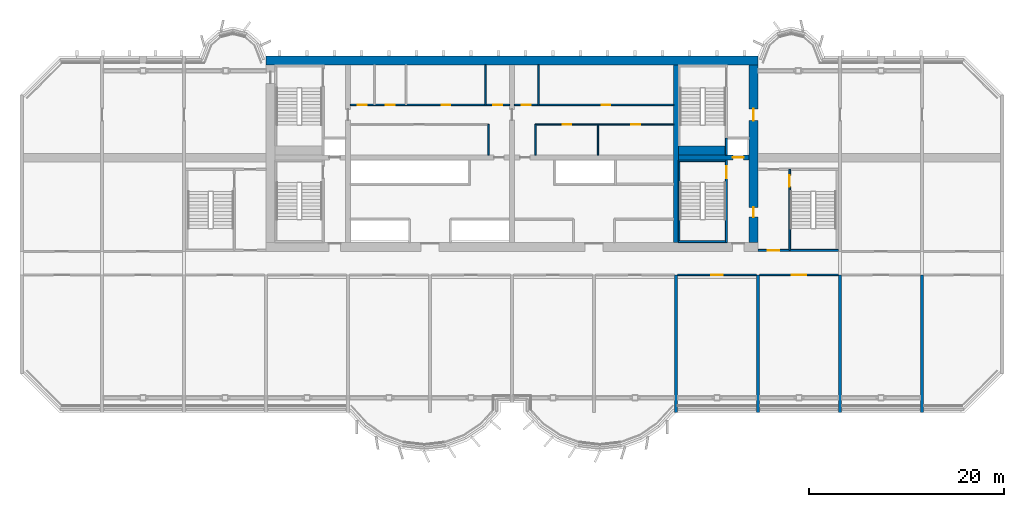
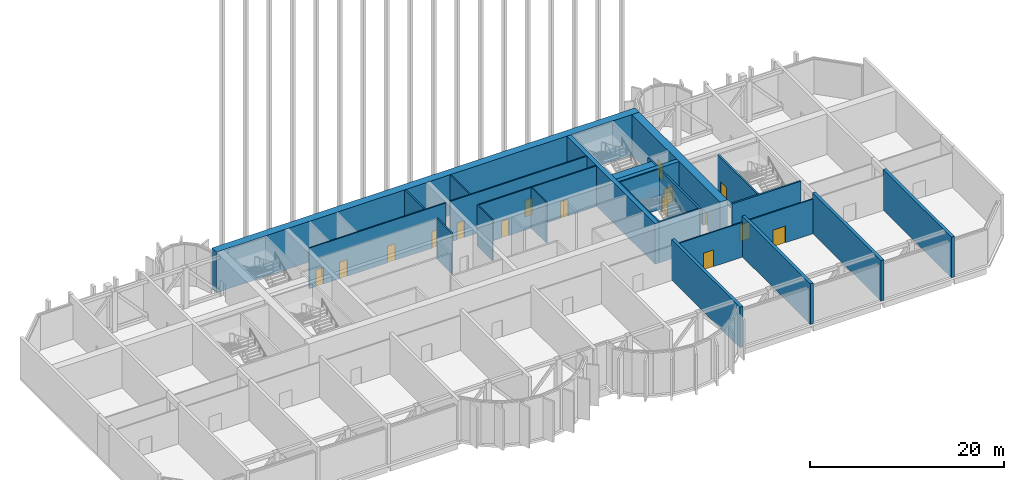
# One storey, part 7 of 17: 26 walls, 16 doors, 16 openings.
"""IFC4 building model written with IfcOpenShell, lengths in metres."""

from ifc_helpers import new_model, si_unit, direction, frame, frame_2d, origin, place, context, subcontext, project, spatial, rectangle, extrude, source, transform, mapped, material, layer, layer_set, type_object, element, fill, save


model = new_model("IFC4")

# Units and contexts
model_context = context("Model", 3, precision=1e-05, world=origin(), true_north=direction((0.0, 1.0)))
body_context = subcontext(model_context, "Body", "Model", "MODEL_VIEW")
ifc_project = project(units=[si_unit("LENGTHUNIT", "METRE"), si_unit("AREAUNIT", "SQUARE_METRE"), si_unit("VOLUMEUNIT", "CUBIC_METRE"), si_unit("PLANEANGLEUNIT", "RADIAN"), si_unit("MASSUNIT", "GRAM", prefix="KILO")], contexts=[model_context])

# Site, building, storey
site_placement = place(None, origin())
site = spatial("IfcSite", under=ifc_project, at=site_placement, CompositionType="ELEMENT")
building_placement = place(site_placement, origin())
building = spatial("IfcBuilding", under=site, at=building_placement, Name="Vanashikhar Sky Hotel", CompositionType="ELEMENT")
storey_placement = place(building_placement, frame((0.0, 0.0, 140.800048828125)))
storey = spatial("IfcBuildingStorey", under=building, at=storey_placement, Name="L34", CompositionType="ELEMENT", Elevation=140.800048828125)

# Wall
ifc_material_1 = material(Name="Concrete M70", Category="concrete")
ifc_layer_1 = layer(ifc_material_1, 0.89990234375)
ifc_layer_set_1 = layer_set([ifc_layer_1], Name="RC core shell wall 900 Concrete M70")
wall_type_1 = type_object("IfcWallType", Name="RC core shell wall 900 Concrete M70", PredefinedType="SHEAR", material=ifc_layer_set_1)
shared_shape_1 = source(origin(), body_context, "Body", "SweptSolid", [
    extrude(rectangle(XDim=50.400146484375, YDim=0.89990234375, at=frame_2d((25.2001953125, 0.0))), origin(), (0.0, 0.0, 1.0), 5.119873046875),
])
wall_1_placement = place(storey_placement, frame((25.199951171875, 41.550048828125, 0.0), z_axis=(0.0, 0.0, 1.0), x_axis=(1.0, 0.0, 0.0)))
element("IfcWall", 1, at=wall_1_placement, inside=storey, type_object=wall_type_1, Name="KW-L34-KN", PredefinedType="SHEAR", context=body_context, shape_type="MappedRepresentation", body=[
    mapped(shared_shape_1, transform((0.0, 0.0, 0.0), scale=1.0)),
])

# Wall, openings, doors
shared_shape_2 = source(origin(), body_context, "Body", "SweptSolid", [
    extrude(rectangle(XDim=18.2001953125, YDim=0.89990234375, at=frame_2d((9.10009765625, 0.0))), origin(), (0.0, 0.0, 1.0), 5.119873046875),
])
wall_2_placement = place(storey_placement, frame((75.14990234375, 22.89990234375, 0.0), z_axis=(0.0, 0.0, 1.0), x_axis=(0.0, 1.0, 0.0)))
wall_2 = element("IfcWall", 2, at=wall_2_placement, inside=storey, type_object=wall_type_1, Name="KW-L34-KE", PredefinedType="SHEAR", context=body_context, shape_type="MappedRepresentation", body=[
    mapped(shared_shape_2, transform((0.0, 0.0, 0.0), scale=1.0)),
])
shared_shape_3 = source(origin(), body_context, "Body", "SweptSolid", [
    extrude(rectangle(XDim=1.0, YDim=2.10009765625, at=frame_2d((0.5, 1.050048828125))), frame((0.0, 0.4599609375, 0.0), z_axis=(0.0, -1.0, 0.0), x_axis=(1.0, 0.0, 0.0)), (0.0, 0.0, 1.0), 0.919921875),
])
opening_1_placement = place(wall_2_placement, frame((2.60009765625, 0.0, 0.0)))
opening_1 = element("IfcOpeningElement", 3, at=opening_1_placement, cuts=wall_2, Name="Opening DC-5", PredefinedType="OPENING", context=body_context, shape_type="MappedRepresentation", body=[
    mapped(shared_shape_3, transform((0.0, 0.0, 0.0), scale=1.0)),
])
shared_shape_4 = source(origin(), body_context, "Body", "SweptSolid", [
    extrude(rectangle(XDim=1.199951171875, YDim=2.10009765625, at=frame_2d((0.60009765625, 1.050048828125))), frame((0.0, 0.4599609375, 0.0), z_axis=(0.0, -1.0, 0.0), x_axis=(1.0, 0.0, 0.0)), (0.0, 0.0, 1.0), 0.919921875),
])
opening_2_placement = place(wall_2_placement, frame((12.5, 0.0, 0.0)))
opening_2 = element("IfcOpeningElement", 4, at=opening_2_placement, cuts=wall_2, Name="Opening DC-4-D", PredefinedType="OPENING", context=body_context, shape_type="MappedRepresentation", body=[
    mapped(shared_shape_4, transform((0.0, 0.0, 0.0), scale=1.0)),
])
ifc_material_2 = material(Name="Steel", Category="steel")
door_type_1 = type_object("IfcDoorType", Name="Refuge door 1000 FD120", OperationType="NOTDEFINED", PredefinedType="DOOR", material=ifc_material_2)
shared_shape_5 = source(origin(), body_context, "Body", "SweptSolid", [
    extrude(rectangle(XDim=1.0, YDim=2.10009765625, at=frame_2d((0.5, 1.050048828125))), frame((0.0, 0.02490234375, 0.0), z_axis=(0.0, -1.0, 0.0), x_axis=(1.0, 0.0, 0.0)), (0.0, 0.0, 1.0), 0.050048828125),
])
door_1_placement = place(opening_1_placement, origin())
door_1 = element("IfcDoor", 5, at=door_1_placement, inside=storey, type_object=door_type_1, Name="Refuge door 1000 FD120", OperationType="SINGLE_SWING_LEFT", OverallHeight=2.10009765625, OverallWidth=1.0, PredefinedType="DOOR", context=body_context, shape_type="MappedRepresentation", body=[
    mapped(shared_shape_5, transform((0.0, 0.0, 0.0), scale=1.0)),
])
fill(opening_1, door_1)
door_type_2 = type_object("IfcDoorType", Name="Service door 1200 FD120", OperationType="NOTDEFINED", PredefinedType="DOOR", material=ifc_material_2)
shared_shape_6 = source(origin(), body_context, "Body", "SweptSolid", [
    extrude(rectangle(XDim=1.199951171875, YDim=2.10009765625, at=frame_2d((0.60009765625, 1.050048828125))), frame((0.0, 0.02490234375, 0.0), z_axis=(0.0, -1.0, 0.0), x_axis=(1.0, 0.0, 0.0)), (0.0, 0.0, 1.0), 0.050048828125),
])
door_2_placement = place(opening_2_placement, origin())
door_2 = element("IfcDoor", 6, at=door_2_placement, inside=storey, type_object=door_type_2, Name="Service door 1200 FD120", OperationType="SINGLE_SWING_RIGHT", OverallHeight=2.10009765625, OverallWidth=1.199951171875, PredefinedType="DOOR", context=body_context, shape_type="MappedRepresentation", body=[
    mapped(shared_shape_6, transform((0.0, 0.0, 0.0), scale=1.0)),
])
fill(opening_2, door_2)

# Wall
ifc_layer_2 = layer(ifc_material_1, 0.5)
ifc_layer_set_2 = layer_set([ifc_layer_2], Name="RC core inner wall 500 Concrete M70")
wall_type_2 = type_object("IfcWallType", Name="RC core inner wall 500 Concrete M70", PredefinedType="SHEAR", material=ifc_layer_set_2)
shared_shape_7 = source(origin(), body_context, "Body", "SweptSolid", [
    extrude(rectangle(XDim=18.2001953125, YDim=0.5, at=frame_2d((9.10009765625, 0.0))), origin(), (0.0, 0.0, 1.0), 5.119873046875),
])
wall_3_placement = place(storey_placement, frame((67.199951171875, 22.89990234375, 0.0), z_axis=(0.0, 0.0, 1.0), x_axis=(0.0, 1.0, 0.0)))
element("IfcWall", 7, at=wall_3_placement, inside=storey, type_object=wall_type_2, Name="KW-L34-KX3", PredefinedType="SHEAR", context=body_context, shape_type="MappedRepresentation", body=[
    mapped(shared_shape_7, transform((0.0, 0.0, 0.0), scale=1.0)),
])

# Wall, opening, door
shared_shape_8 = source(origin(), body_context, "Body", "SweptSolid", [
    extrude(rectangle(XDim=7.25, YDim=0.5, at=frame_2d((3.625, 0.0))), origin(), (0.0, 0.0, 1.0), 5.119873046875),
])
wall_4_placement = place(storey_placement, frame((67.449951171875, 31.60009765625, 0.0), z_axis=(0.0, 0.0, 1.0), x_axis=(1.0, 0.0, 0.0)))
wall_4 = element("IfcWall", 8, at=wall_4_placement, inside=storey, type_object=wall_type_2, Name="KW-L34-KY4", PredefinedType="SHEAR", context=body_context, shape_type="MappedRepresentation", body=[
    mapped(shared_shape_8, transform((0.0, 0.0, 0.0), scale=1.0)),
])
shared_shape_9 = source(origin(), body_context, "Body", "SweptSolid", [
    extrude(rectangle(XDim=1.10009765625, YDim=2.10009765625, at=frame_2d((0.550048828125, 1.050048828125))), frame((0.0, 0.260009765625, 0.0), z_axis=(0.0, -1.0, 0.0), x_axis=(1.0, 0.0, 0.0)), (0.0, 0.0, 1.0), 0.52001953125),
])
opening_3_placement = place(wall_4_placement, frame((5.574951171875, 0.0, 0.0)))
opening_3 = element("IfcOpeningElement", 9, at=opening_3_placement, cuts=wall_4, Name="Opening LD", PredefinedType="OPENING", context=body_context, shape_type="MappedRepresentation", body=[
    mapped(shared_shape_9, transform((0.0, 0.0, 0.0), scale=1.0)),
])
ifc_material_3 = material(Name="Stainless steel", Category="steel")
door_type_3 = type_object("IfcDoorType", Name="Lift landing door 1100", OperationType="NOTDEFINED", PredefinedType="DOOR", material=ifc_material_3)
shared_shape_10 = source(origin(), body_context, "Body", "SweptSolid", [
    extrude(rectangle(XDim=1.10009765625, YDim=2.10009765625, at=frame_2d((0.550048828125, 1.050048828125))), frame((0.0, 0.02490234375, 0.0), z_axis=(0.0, -1.0, 0.0), x_axis=(1.0, 0.0, 0.0)), (0.0, 0.0, 1.0), 0.050048828125),
])
door_3_placement = place(opening_3_placement, origin())
door_3 = element("IfcDoor", 10, at=door_3_placement, inside=storey, type_object=door_type_3, Name="Lift landing door 1100", OperationType="SLIDING_TO_RIGHT", OverallHeight=2.10009765625, OverallWidth=1.10009765625, PredefinedType="DOOR", context=body_context, shape_type="MappedRepresentation", body=[
    mapped(shared_shape_10, transform((0.0, 0.0, 0.0), scale=1.0)),
])
fill(opening_3, door_3)

# Walls
ifc_layer_3 = layer(ifc_material_1, 0.35009765625)
ifc_layer_set_3 = layer_set([ifc_layer_3], Name="RC shear wall 350 Concrete M70")
wall_type_3 = type_object("IfcWallType", Name="RC shear wall 350 Concrete M70", PredefinedType="SHEAR", material=ifc_layer_set_3)
shared_shape_11 = source(origin(), body_context, "Body", "SweptSolid", [
    extrude(rectangle(XDim=14.10009765625, YDim=0.35009765625, at=frame_2d((7.050048828125, 0.0))), origin(), (0.0, 0.0, 1.0), 5.119873046875),
])
for number, where, z_axis, x_axis, name in (
    (11, (67.199951171875, 5.5, 0.0), (0.0, 0.0, 1.0), (0.0, 1.0, 0.0), "CW-L34-XW09-1"),
    (12, (75.60009765625, 5.5, 0.0), (0.0, 0.0, 1.0), (0.0, 1.0, 0.0), "CW-L34-XW10-1"),
    (13, (84.0, 5.5, 0.0), (0.0, 0.0, 1.0), (0.0, 1.0, 0.0), "CW-L34-XW11-1"),
    (14, (92.39990234375, 5.5, 0.0), (0.0, 0.0, 1.0), (0.0, 1.0, 0.0), "CW-L34-XW12-1"),
):
    element("IfcWall", number, at=place(storey_placement, frame(where, z_axis=z_axis, x_axis=x_axis)), inside=storey, type_object=wall_type_3, Name=name, PredefinedType="SHEAR", context=body_context, shape_type="MappedRepresentation", body=[
        mapped(shared_shape_11, transform((0.0, 0.0, 0.0), scale=1.0)),
    ])
ifc_material_4 = material(Name="Gypsum board partition")
ifc_layer_4 = layer(ifc_material_4, 0.14990234375)
ifc_layer_set_4 = layer_set([ifc_layer_4], Name="Service partition 150")
wall_type_4 = type_object("IfcWallType", Name="Service partition 150", PredefinedType="PARTITIONING", material=ifc_layer_set_4)
shared_shape_12 = source(origin(), body_context, "Body", "SweptSolid", [
    extrude(rectangle(XDim=3.14990234375, YDim=0.14990234375, at=frame_2d((1.574951171875, 0.0))), origin(), (0.0, 0.0, 1.0), 5.119873046875),
])
for number, where, z_axis, x_axis, name in (
    (15, (48.0, 31.85009765625, 0.0), (0.0, 0.0, 1.0), (0.0, 1.0, 0.0), "Service partition 150"),
    (16, (52.800048828125, 31.85009765625, 0.0), (0.0, 0.0, 1.0), (0.0, 1.0, 0.0), "Service partition 150"),
    (17, (59.208984375, 31.85009765625, 0.0), (0.0, 0.0, 1.0), (0.0, 1.0, 0.0), "Service partition 150"),
):
    element("IfcWall", number, at=place(storey_placement, frame(where, z_axis=z_axis, x_axis=x_axis)), inside=storey, type_object=wall_type_4, Name=name, PredefinedType="PARTITIONING", context=body_context, shape_type="MappedRepresentation", body=[
        mapped(shared_shape_12, transform((0.0, 0.0, 0.0), scale=1.0)),
    ])

# Wall, openings, doors
shared_shape_13 = source(origin(), body_context, "Body", "SweptSolid", [
    extrude(rectangle(XDim=14.14990234375, YDim=0.14990234375, at=frame_2d((7.074951171875, 0.0))), origin(), (0.0, 0.0, 1.0), 5.119873046875),
])
wall_5_placement = place(storey_placement, frame((66.949951171875, 35.0, 0.0), z_axis=(0.0, 0.0, 1.0), x_axis=(-1.0, 0.0, 0.0)))
wall_5 = element("IfcWall", 18, at=wall_5_placement, inside=storey, type_object=wall_type_4, Name="Service partition 150", PredefinedType="PARTITIONING", context=body_context, shape_type="MappedRepresentation", body=[
    mapped(shared_shape_13, transform((0.0, 0.0, 0.0), scale=1.0)),
])
shared_shape_14 = source(origin(), body_context, "Body", "SweptSolid", [
    extrude(rectangle(XDim=0.89990234375, YDim=2.10009765625, at=frame_2d((0.449951171875, 1.050048828125))), frame((0.0, 0.0849609375, 0.0), z_axis=(0.0, -1.0, 0.0), x_axis=(1.0, 0.0, 0.0)), (0.0, 0.0, 1.0), 0.169921875),
])
opening_4_placement = place(wall_5_placement, frame((3.4208984375, 0.0, 0.0)))
opening_4 = element("IfcOpeningElement", 19, at=opening_4_placement, cuts=wall_5, Name="Opening DC-4-A", PredefinedType="OPENING", context=body_context, shape_type="MappedRepresentation", body=[
    mapped(shared_shape_14, transform((0.0, 0.0, 0.0), scale=1.0)),
])
opening_5_placement = place(wall_5_placement, frame((10.4580078125, 0.0, 0.0)))
opening_5 = element("IfcOpeningElement", 20, at=opening_5_placement, cuts=wall_5, Name="Opening DC-4-A", PredefinedType="OPENING", context=body_context, shape_type="MappedRepresentation", body=[
    mapped(shared_shape_14, transform((0.0, 0.0, 0.0), scale=1.0)),
])
door_type_4 = type_object("IfcDoorType", Name="Service door 900 FD60", OperationType="NOTDEFINED", PredefinedType="DOOR", material=ifc_material_2)
shared_shape_15 = source(origin(), body_context, "Body", "SweptSolid", [
    extrude(rectangle(XDim=0.89990234375, YDim=2.10009765625, at=frame_2d((0.449951171875, 1.050048828125))), frame((0.0, 0.02490234375, 0.0), z_axis=(0.0, -1.0, 0.0), x_axis=(1.0, 0.0, 0.0)), (0.0, 0.0, 1.0), 0.050048828125),
])
door_4_placement = place(opening_4_placement, origin())
door_4 = element("IfcDoor", 21, at=door_4_placement, inside=storey, type_object=door_type_4, Name="Service door 900 FD60", OperationType="SINGLE_SWING_LEFT", OverallHeight=2.10009765625, OverallWidth=0.89990234375, PredefinedType="DOOR", context=body_context, shape_type="MappedRepresentation", body=[
    mapped(shared_shape_15, transform((0.0, 0.0, 0.0), scale=1.0)),
])
fill(opening_4, door_4)
door_5_placement = place(opening_5_placement, origin())
door_5 = element("IfcDoor", 22, at=door_5_placement, inside=storey, type_object=door_type_4, Name="Service door 900 FD60", OperationType="SINGLE_SWING_LEFT", OverallHeight=2.10009765625, OverallWidth=0.89990234375, PredefinedType="DOOR", context=body_context, shape_type="MappedRepresentation", body=[
    mapped(shared_shape_15, transform((0.0, 0.0, 0.0), scale=1.0)),
])
fill(opening_5, door_5)

shared_shape_16 = source(origin(), body_context, "Body", "SweptSolid", [
    extrude(rectangle(XDim=16.2998046875, YDim=0.14990234375, at=frame_2d((8.14990234375, 0.0))), origin(), (0.0, 0.0, 1.0), 5.119873046875),
])
wall_6_placement = place(storey_placement, frame((33.85009765625, 37.0, 0.0), z_axis=(0.0, 0.0, 1.0), x_axis=(1.0, 0.0, 0.0)))
wall_6 = element("IfcWall", 23, at=wall_6_placement, inside=storey, type_object=wall_type_4, Name="Service partition 150", PredefinedType="PARTITIONING", context=body_context, shape_type="MappedRepresentation", body=[
    mapped(shared_shape_16, transform((0.0, 0.0, 0.0), scale=1.0)),
])
opening_6_placement = place(wall_6_placement, frame((0.77294921875, 0.0, 0.0)))
opening_6 = element("IfcOpeningElement", 24, at=opening_6_placement, cuts=wall_6, Name="Opening DC-4-A", PredefinedType="OPENING", context=body_context, shape_type="MappedRepresentation", body=[
    mapped(shared_shape_14, transform((0.0, 0.0, 0.0), scale=1.0)),
])
opening_7_placement = place(wall_6_placement, frame((3.625, 0.0, 0.0)))
opening_7 = element("IfcOpeningElement", 25, at=opening_7_placement, cuts=wall_6, Name="Opening DC-4-A", PredefinedType="OPENING", context=body_context, shape_type="MappedRepresentation", body=[
    mapped(shared_shape_14, transform((0.0, 0.0, 0.0), scale=1.0)),
])
opening_8_placement = place(wall_6_placement, frame((9.330078125, 0.0, 0.0)))
opening_8 = element("IfcOpeningElement", 26, at=opening_8_placement, cuts=wall_6, Name="Opening DC-4-A", PredefinedType="OPENING", context=body_context, shape_type="MappedRepresentation", body=[
    mapped(shared_shape_14, transform((0.0, 0.0, 0.0), scale=1.0)),
])
opening_9_placement = place(wall_6_placement, frame((14.626953125, 0.0, 0.0)))
opening_9 = element("IfcOpeningElement", 27, at=opening_9_placement, cuts=wall_6, Name="Opening DC-4-A", PredefinedType="OPENING", context=body_context, shape_type="MappedRepresentation", body=[
    mapped(shared_shape_14, transform((0.0, 0.0, 0.0), scale=1.0)),
])
door_6_placement = place(opening_6_placement, origin())
door_6 = element("IfcDoor", 28, at=door_6_placement, inside=storey, type_object=door_type_4, Name="Service door 900 FD60", OperationType="SINGLE_SWING_LEFT", OverallHeight=2.10009765625, OverallWidth=0.89990234375, PredefinedType="DOOR", context=body_context, shape_type="MappedRepresentation", body=[
    mapped(shared_shape_15, transform((0.0, 0.0, 0.0), scale=1.0)),
])
fill(opening_6, door_6)
door_7_placement = place(opening_7_placement, origin())
door_7 = element("IfcDoor", 29, at=door_7_placement, inside=storey, type_object=door_type_4, Name="Service door 900 FD60", OperationType="SINGLE_SWING_RIGHT", OverallHeight=2.10009765625, OverallWidth=0.89990234375, PredefinedType="DOOR", context=body_context, shape_type="MappedRepresentation", body=[
    mapped(shared_shape_15, transform((0.0, 0.0, 0.0), scale=1.0)),
])
fill(opening_7, door_7)
door_8_placement = place(opening_8_placement, origin())
door_8 = element("IfcDoor", 30, at=door_8_placement, inside=storey, type_object=door_type_4, Name="Service door 900 FD60", OperationType="SINGLE_SWING_RIGHT", OverallHeight=2.10009765625, OverallWidth=0.89990234375, PredefinedType="DOOR", context=body_context, shape_type="MappedRepresentation", body=[
    mapped(shared_shape_15, transform((0.0, 0.0, 0.0), scale=1.0)),
])
fill(opening_8, door_8)
door_9_placement = place(opening_9_placement, origin())
door_9 = element("IfcDoor", 31, at=door_9_placement, inside=storey, type_object=door_type_4, Name="Service door 900 FD60", OperationType="SINGLE_SWING_RIGHT", OverallHeight=2.10009765625, OverallWidth=0.89990234375, PredefinedType="DOOR", context=body_context, shape_type="MappedRepresentation", body=[
    mapped(shared_shape_15, transform((0.0, 0.0, 0.0), scale=1.0)),
])
fill(opening_9, door_9)

# Walls
shared_shape_17 = source(origin(), body_context, "Body", "SweptSolid", [
    extrude(rectangle(XDim=4.10009765625, YDim=0.14990234375, at=frame_2d((2.050048828125, 0.0))), origin(), (0.0, 0.0, 1.0), 5.119873046875),
])
for number, where, z_axis, x_axis, name in (
    (32, (47.705078125, 37.0, 0.0), (0.0, 0.0, 1.0), (0.0, 1.0, 0.0), "Service partition 150"),
    (33, (53.094970703125, 37.0, 0.0), (0.0, 0.0, 1.0), (0.0, 1.0, 0.0), "Service partition 150"),
):
    element("IfcWall", number, at=place(storey_placement, frame(where, z_axis=z_axis, x_axis=x_axis)), inside=storey, type_object=wall_type_4, Name=name, PredefinedType="PARTITIONING", context=body_context, shape_type="MappedRepresentation", body=[
        mapped(shared_shape_17, transform((0.0, 0.0, 0.0), scale=1.0)),
    ])

# Wall, openings, doors
shared_shape_18 = source(origin(), body_context, "Body", "SweptSolid", [
    extrude(rectangle(XDim=16.300048828125, YDim=0.14990234375, at=frame_2d((8.14990234375, 0.0))), origin(), (0.0, 0.0, 1.0), 5.119873046875),
])
wall_7_placement = place(storey_placement, frame((66.949951171875, 37.0, 0.0), z_axis=(0.0, 0.0, 1.0), x_axis=(-1.0, 0.0, 0.0)))
wall_7 = element("IfcWall", 34, at=wall_7_placement, inside=storey, type_object=wall_type_4, Name="Service partition 150", PredefinedType="PARTITIONING", context=body_context, shape_type="MappedRepresentation", body=[
    mapped(shared_shape_18, transform((0.0, 0.0, 0.0), scale=1.0)),
])
opening_10_placement = place(wall_7_placement, frame((6.47802734375, 0.0, 0.0)))
opening_10 = element("IfcOpeningElement", 35, at=opening_10_placement, cuts=wall_7, Name="Opening DC-4-A", PredefinedType="OPENING", context=body_context, shape_type="MappedRepresentation", body=[
    mapped(shared_shape_14, transform((0.0, 0.0, 0.0), scale=1.0)),
])
opening_11_placement = place(wall_7_placement, frame((14.626953125, 0.0, 0.0)))
opening_11 = element("IfcOpeningElement", 36, at=opening_11_placement, cuts=wall_7, Name="Opening DC-4-A", PredefinedType="OPENING", context=body_context, shape_type="MappedRepresentation", body=[
    mapped(shared_shape_14, transform((0.0, 0.0, 0.0), scale=1.0)),
])
door_10_placement = place(opening_10_placement, origin())
door_10 = element("IfcDoor", 37, at=door_10_placement, inside=storey, type_object=door_type_4, Name="Service door 900 FD60", OperationType="SINGLE_SWING_RIGHT", OverallHeight=2.10009765625, OverallWidth=0.89990234375, PredefinedType="DOOR", context=body_context, shape_type="MappedRepresentation", body=[
    mapped(shared_shape_15, transform((0.0, 0.0, 0.0), scale=1.0)),
])
fill(opening_10, door_10)
door_11_placement = place(opening_11_placement, origin())
door_11 = element("IfcDoor", 38, at=door_11_placement, inside=storey, type_object=door_type_4, Name="Service door 900 FD60", OperationType="SINGLE_SWING_RIGHT", OverallHeight=2.10009765625, OverallWidth=0.89990234375, PredefinedType="DOOR", context=body_context, shape_type="MappedRepresentation", body=[
    mapped(shared_shape_15, transform((0.0, 0.0, 0.0), scale=1.0)),
])
fill(opening_11, door_11)

# Wall, opening, door
ifc_material_5 = material(Name="Concrete M50", Category="concrete")
ifc_layer_5 = layer(ifc_material_5, 0.199951171875)
ifc_layer_set_5 = layer_set([ifc_layer_5], Name="Stair wall 200")
wall_type_5 = type_object("IfcWallType", Name="Stair wall 200", PredefinedType="SOLIDWALL", material=ifc_layer_set_5)
shared_shape_19 = source(origin(), body_context, "Body", "SweptSolid", [
    extrude(rectangle(XDim=8.4501953125, YDim=0.199951171875, at=frame_2d((4.22509765625, 0.0))), origin(), (0.0, 0.0, 1.0), 5.119873046875),
])
wall_8_placement = place(storey_placement, frame((72.35009765625, 22.89990234375, 0.0), z_axis=(0.0, 0.0, 1.0), x_axis=(0.0, 1.0, 0.0)))
wall_8 = element("IfcWall", 39, at=wall_8_placement, inside=storey, type_object=wall_type_5, Name="Stair wall 200", PredefinedType="SOLIDWALL", context=body_context, shape_type="MappedRepresentation", body=[
    mapped(shared_shape_19, transform((0.0, 0.0, 0.0), scale=1.0)),
])
shared_shape_20 = source(origin(), body_context, "Body", "SweptSolid", [
    extrude(rectangle(XDim=1.199951171875, YDim=2.10009765625, at=frame_2d((0.60009765625, 1.050048828125))), frame((0.0, 0.10986328125, 0.0), z_axis=(0.0, -1.0, 0.0), x_axis=(1.0, 0.0, 0.0)), (0.0, 0.0, 1.0), 0.219970703125),
])
opening_12_placement = place(wall_8_placement, frame((6.60009765625, 0.0, 0.0)))
opening_12 = element("IfcOpeningElement", 40, at=opening_12_placement, cuts=wall_8, Name="Opening DC-1", PredefinedType="OPENING", context=body_context, shape_type="MappedRepresentation", body=[
    mapped(shared_shape_20, transform((0.0, 0.0, 0.0), scale=1.0)),
])
door_type_5 = type_object("IfcDoorType", Name="Stair door 1200 FD120", OperationType="NOTDEFINED", PredefinedType="DOOR", material=ifc_material_2)
door_12_placement = place(opening_12_placement, origin())
door_12 = element("IfcDoor", 41, at=door_12_placement, inside=storey, type_object=door_type_5, Name="Stair door 1200 FD120", OperationType="SINGLE_SWING_LEFT", OverallHeight=2.10009765625, OverallWidth=1.199951171875, PredefinedType="DOOR", context=body_context, shape_type="MappedRepresentation", body=[
    mapped(shared_shape_6, transform((0.0, 0.0, 0.0), scale=1.0)),
])
fill(opening_12, door_12)

# Wall
ifc_material_6 = material(Name="Concrete M40", Category="concrete")
ifc_layer_6 = layer(ifc_material_6, 0.199951171875)
ifc_layer_set_6 = layer_set([ifc_layer_6], Name="Shaft wall 200")
wall_type_6 = type_object("IfcWallType", Name="Shaft wall 200", PredefinedType="SOLIDWALL", material=ifc_layer_set_6)
shared_shape_21 = source(origin(), body_context, "Body", "SweptSolid", [
    extrude(rectangle(XDim=1.75, YDim=0.199951171875, at=frame_2d((0.875, 0.0))), origin(), (0.0, 0.0, 1.0), 5.119873046875),
])
wall_9_placement = place(storey_placement, frame((72.35009765625, 31.85009765625, 0.0), z_axis=(0.0, 0.0, 1.0), x_axis=(0.0, 1.0, 0.0)))
element("IfcWall", 42, at=wall_9_placement, inside=storey, type_object=wall_type_6, Name="Shaft wall 200", PredefinedType="SOLIDWALL", context=body_context, shape_type="MappedRepresentation", body=[
    mapped(shared_shape_21, transform((0.0, 0.0, 0.0), scale=1.0)),
])

# Wall, opening, door
shared_shape_22 = source(origin(), body_context, "Body", "SweptSolid", [
    extrude(rectangle(XDim=8.2998046875, YDim=0.199951171875, at=frame_2d((4.14990234375, 0.0))), origin(), (0.0, 0.0, 1.0), 5.119873046875),
])
wall_10_placement = place(storey_placement, frame((78.85009765625, 22.10009765625, 0.0), z_axis=(0.0, 0.0, 1.0), x_axis=(0.0, 1.0, 0.0)))
wall_10 = element("IfcWall", 43, at=wall_10_placement, inside=storey, type_object=wall_type_5, Name="Stair wall 200", PredefinedType="SOLIDWALL", context=body_context, shape_type="MappedRepresentation", body=[
    mapped(shared_shape_22, transform((0.0, 0.0, 0.0), scale=1.0)),
])
opening_13_placement = place(wall_10_placement, frame((6.5, 0.0, 0.0)))
opening_13 = element("IfcOpeningElement", 44, at=opening_13_placement, cuts=wall_10, Name="Opening DC-1", PredefinedType="OPENING", context=body_context, shape_type="MappedRepresentation", body=[
    mapped(shared_shape_20, transform((0.0, 0.0, 0.0), scale=1.0)),
])
door_13_placement = place(opening_13_placement, origin())
door_13 = element("IfcDoor", 45, at=door_13_placement, inside=storey, type_object=door_type_5, Name="Stair door 1200 FD120", OperationType="SINGLE_SWING_RIGHT", OverallHeight=2.10009765625, OverallWidth=1.199951171875, PredefinedType="DOOR", context=body_context, shape_type="MappedRepresentation", body=[
    mapped(shared_shape_6, transform((0.0, 0.0, 0.0), scale=1.0)),
])
fill(opening_13, door_13)

shared_shape_23 = source(origin(), body_context, "Body", "SweptSolid", [
    extrude(rectangle(XDim=8.224853515625, YDim=0.199951171875, at=frame_2d((4.1123046875, 0.0))), origin(), (0.0, 0.0, 1.0), 5.119873046875),
])
wall_11_placement = place(storey_placement, frame((83.824951171875, 22.10009765625, 0.0), z_axis=(0.0, 0.0, 1.0), x_axis=(-1.0, 0.0, 0.0)))
wall_11 = element("IfcWall", 46, at=wall_11_placement, inside=storey, type_object=wall_type_5, Name="Stair wall 200", PredefinedType="SOLIDWALL", context=body_context, shape_type="MappedRepresentation", body=[
    mapped(shared_shape_23, transform((0.0, 0.0, 0.0), scale=1.0)),
])
opening_14_placement = place(wall_11_placement, frame((6.02490234375, 0.0, 0.0)))
opening_14 = element("IfcOpeningElement", 47, at=opening_14_placement, cuts=wall_11, Name="Opening DC-2", PredefinedType="OPENING", context=body_context, shape_type="MappedRepresentation", body=[
    mapped(shared_shape_20, transform((0.0, 0.0, 0.0), scale=1.0)),
])
door_type_6 = type_object("IfcDoorType", Name="Firefighting lobby door 1200 FD120", OperationType="NOTDEFINED", PredefinedType="DOOR", material=ifc_material_2)
door_14_placement = place(opening_14_placement, origin())
door_14 = element("IfcDoor", 48, at=door_14_placement, inside=storey, type_object=door_type_6, Name="Firefighting lobby door 1200 FD120", OperationType="SINGLE_SWING_RIGHT", OverallHeight=2.10009765625, OverallWidth=1.199951171875, PredefinedType="DOOR", context=body_context, shape_type="MappedRepresentation", body=[
    mapped(shared_shape_6, transform((0.0, 0.0, 0.0), scale=1.0)),
])
fill(opening_14, door_14)

# Walls
ifc_layer_7 = layer(ifc_material_5, 0.199951171875)
ifc_layer_set_7 = layer_set([ifc_layer_7], Name="Stair infill wall 200")
wall_type_7 = type_object("IfcWallType", Name="Stair infill wall 200", PredefinedType="SOLIDWALL", material=ifc_layer_set_7)
shared_shape_24 = source(origin(), body_context, "Body", "SweptSolid", [
    extrude(rectangle(XDim=4.800048828125, YDim=0.199951171875, at=frame_2d((2.39990234375, 0.0))), origin(), (0.0, 0.0, 1.0), 5.119873046875),
])
wall_12_placement = place(storey_placement, frame((67.449951171875, 23.0, 0.0), z_axis=(0.0, 0.0, 1.0), x_axis=(1.0, 0.0, 0.0)))
element("IfcWall", 49, at=wall_12_placement, inside=storey, type_object=wall_type_7, Name="Stair infill wall 200", PredefinedType="SOLIDWALL", context=body_context, shape_type="MappedRepresentation", body=[
    mapped(shared_shape_24, transform((0.0, 0.0, 0.0), scale=1.0)),
])
ifc_layer_8 = layer(ifc_material_5, 0.14990234375)
ifc_layer_set_8 = layer_set([ifc_layer_8], Name="Stair infill wall 150")
wall_type_8 = type_object("IfcWallType", Name="Stair infill wall 150", PredefinedType="SOLIDWALL", material=ifc_layer_set_8)
shared_shape_25 = source(origin(), body_context, "Body", "SweptSolid", [
    extrude(rectangle(XDim=4.800048828125, YDim=0.14990234375, at=frame_2d((2.39990234375, 0.0))), origin(), (0.0, 0.0, 1.0), 5.119873046875),
])
wall_13_placement = place(storey_placement, frame((67.449951171875, 31.27490234375, 0.0), z_axis=(0.0, 0.0, 1.0), x_axis=(1.0, 0.0, 0.0)))
element("IfcWall", 50, at=wall_13_placement, inside=storey, type_object=wall_type_8, Name="Stair infill wall 150", PredefinedType="SOLIDWALL", context=body_context, shape_type="MappedRepresentation", body=[
    mapped(shared_shape_25, transform((0.0, 0.0, 0.0), scale=1.0)),
])
shared_shape_26 = source(origin(), body_context, "Body", "SweptSolid", [
    extrude(rectangle(XDim=8.099853515625, YDim=0.14990234375, at=frame_2d((4.0498046875, 0.0))), origin(), (0.0, 0.0, 1.0), 5.119873046875),
])
wall_14_placement = place(storey_placement, frame((67.52490234375, 23.10009765625, 0.0), z_axis=(0.0, 0.0, 1.0), x_axis=(0.0, 1.0, 0.0)))
element("IfcWall", 51, at=wall_14_placement, inside=storey, type_object=wall_type_8, Name="Stair infill wall 150", PredefinedType="SOLIDWALL", context=body_context, shape_type="MappedRepresentation", body=[
    mapped(shared_shape_26, transform((0.0, 0.0, 0.0), scale=1.0)),
])
ifc_layer_9 = layer(ifc_material_5, 0.949951171875)
ifc_layer_set_9 = layer_set([ifc_layer_9], Name="Stair infill wall 950")
wall_type_9 = type_object("IfcWallType", Name="Stair infill wall 950", PredefinedType="SOLIDWALL", material=ifc_layer_set_9)
shared_shape_27 = source(origin(), body_context, "Body", "SweptSolid", [
    extrude(rectangle(XDim=4.800048828125, YDim=0.949951171875, at=frame_2d((2.39990234375, 0.0))), origin(), (0.0, 0.0, 1.0), 5.119873046875),
])
wall_15_placement = place(storey_placement, frame((67.449951171875, 32.324951171875, 0.0), z_axis=(0.0, 0.0, 1.0), x_axis=(1.0, 0.0, 0.0)))
element("IfcWall", 52, at=wall_15_placement, inside=storey, type_object=wall_type_9, Name="Stair infill wall 950", PredefinedType="SOLIDWALL", context=body_context, shape_type="MappedRepresentation", body=[
    mapped(shared_shape_27, transform((0.0, 0.0, 0.0), scale=1.0)),
])

# Wall, opening, door
shared_shape_28 = source(origin(), body_context, "Body", "SweptSolid", [
    extrude(rectangle(XDim=8.050048828125, YDim=0.14990234375, at=frame_2d((4.02490234375, 0.0))), origin(), (0.0, 0.0, 1.0), 4.369873046875),
])
wall_16_placement = place(storey_placement, frame((67.375, 19.60009765625, 0.0), z_axis=(0.0, 0.0, 1.0), x_axis=(1.0, 0.0, 0.0)))
wall_16 = element("IfcWall", 53, at=wall_16_placement, inside=storey, type_object=wall_type_4, Name="Service partition 150", PredefinedType="PARTITIONING", context=body_context, shape_type="MappedRepresentation", body=[
    mapped(shared_shape_28, transform((0.0, 0.0, 0.0), scale=1.0)),
])
shared_shape_29 = source(origin(), body_context, "Body", "SweptSolid", [
    extrude(rectangle(XDim=1.199951171875, YDim=2.10009765625, at=frame_2d((0.60009765625, 1.050048828125))), frame((0.0, 0.0849609375, 0.0), z_axis=(0.0, -1.0, 0.0), x_axis=(1.0, 0.0, 0.0)), (0.0, 0.0, 1.0), 0.169921875),
])
opening_15_placement = place(wall_16_placement, frame((3.425048828125, 0.0, 0.0)))
opening_15 = element("IfcOpeningElement", 54, at=opening_15_placement, cuts=wall_16, Name="Opening DC-4-D", PredefinedType="OPENING", context=body_context, shape_type="MappedRepresentation", body=[
    mapped(shared_shape_29, transform((0.0, 0.0, 0.0), scale=1.0)),
])
door_15_placement = place(opening_15_placement, origin())
door_15 = element("IfcDoor", 55, at=door_15_placement, inside=storey, type_object=door_type_2, Name="Service door 1200 FD120", OperationType="SINGLE_SWING_LEFT", OverallHeight=2.10009765625, OverallWidth=1.199951171875, PredefinedType="DOOR", context=body_context, shape_type="MappedRepresentation", body=[
    mapped(shared_shape_6, transform((0.0, 0.0, 0.0), scale=1.0)),
])
fill(opening_15, door_15)

wall_17_placement = place(storey_placement, frame((75.77490234375, 19.60009765625, 0.0), z_axis=(0.0, 0.0, 1.0), x_axis=(1.0, 0.0, 0.0)))
wall_17 = element("IfcWall", 56, at=wall_17_placement, inside=storey, type_object=wall_type_4, Name="Service partition 150", PredefinedType="PARTITIONING", context=body_context, shape_type="MappedRepresentation", body=[
    mapped(shared_shape_28, transform((0.0, 0.0, 0.0), scale=1.0)),
])
shared_shape_30 = source(origin(), body_context, "Body", "SweptSolid", [
    extrude(rectangle(XDim=1.5, YDim=2.10009765625, at=frame_2d((0.75, 1.050048828125))), frame((0.0, 0.0849609375, 0.0), z_axis=(0.0, -1.0, 0.0), x_axis=(1.0, 0.0, 0.0)), (0.0, 0.0, 1.0), 0.169921875),
])
opening_16_placement = place(wall_17_placement, frame((3.27490234375, 0.0, 0.0)))
opening_16 = element("IfcOpeningElement", 57, at=opening_16_placement, cuts=wall_17, Name="Opening DC-4-E", PredefinedType="OPENING", context=body_context, shape_type="MappedRepresentation", body=[
    mapped(shared_shape_30, transform((0.0, 0.0, 0.0), scale=1.0)),
])
door_type_7 = type_object("IfcDoorType", Name="Service door 1500 FD60", OperationType="NOTDEFINED", PredefinedType="DOOR", material=ifc_material_2)
shared_shape_31 = source(origin(), body_context, "Body", "SweptSolid", [
    extrude(rectangle(XDim=1.5, YDim=2.10009765625, at=frame_2d((0.75, 1.050048828125))), frame((0.0, 0.02490234375, 0.0), z_axis=(0.0, -1.0, 0.0), x_axis=(1.0, 0.0, 0.0)), (0.0, 0.0, 1.0), 0.050048828125),
])
door_16_placement = place(opening_16_placement, origin())
door_16 = element("IfcDoor", 58, at=door_16_placement, inside=storey, type_object=door_type_7, Name="Service door 1500 FD60", OperationType="SINGLE_SWING_RIGHT", OverallHeight=2.10009765625, OverallWidth=1.5, PredefinedType="DOOR", context=body_context, shape_type="MappedRepresentation", body=[
    mapped(shared_shape_31, transform((0.0, 0.0, 0.0), scale=1.0)),
])
fill(opening_16, door_16)

save(model, "model.ifc")
